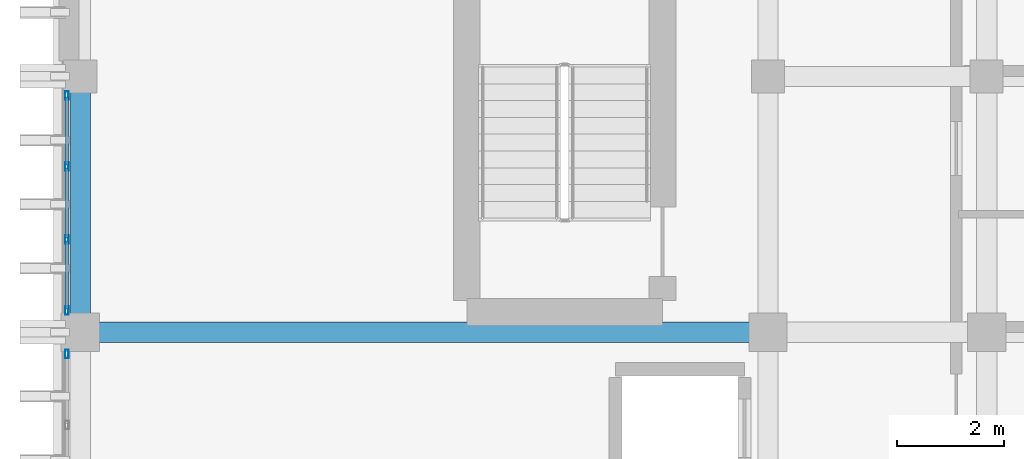
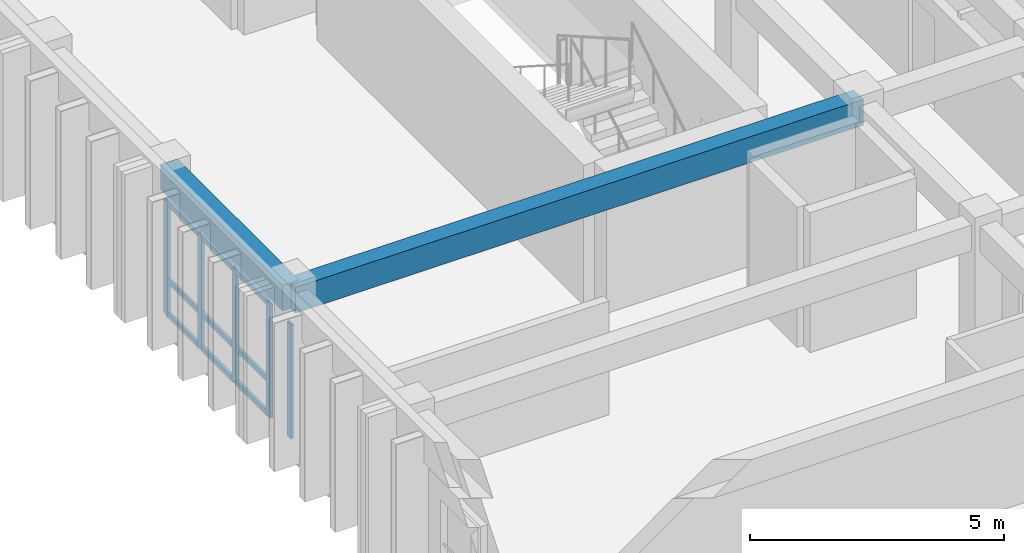
# One storey, part 18 of 59: 14 members, 2 beams, 2 elements without a shape of their own.
"""IFC4 building model written with IfcOpenShell, lengths in metres."""

import ifcopenshell
import ifcopenshell.guid

model = None  # the IFC model being written
_history = None  # IfcOwnerHistory: only IFC2X3 demands one
_inside = {}  # id of a spatial element -> (the spatial element, [elements in it])
_under = {}  # id of a project, library or spatial element -> (it, [spatial elements below it])
_declared = {}  # id of a project -> (the project, [libraries it declares])
_typed = {}  # id of a type object -> (the type object, [elements of that type])
_made_of = {}  # id of a material, layer set ... -> (it, [elements and type objects made of it])


def new_model(schema):
    """Start an empty IFC model of exactly this schema.

    Asked for "IFC4X3", IfcOpenShell would pick the latest addendum, in which some entities
    have other attributes; the version numbers below select the first issue.
    IFC2X3 requires an IfcOwnerHistory on every rooted entity: one is made here for all.
    """
    global model, _history
    if schema == "IFC4X3":
        model = ifcopenshell.file(schema_version=(4, 3, 0, 0))
    else:
        model = ifcopenshell.file(schema=schema)
    _inside.clear()
    _under.clear()
    _declared.clear()
    _typed.clear()
    _made_of.clear()
    _history = None
    if model.schema == "IFC2X3":
        org = make("IfcOrganization", Name="unknown")
        user = make(
            "IfcPersonAndOrganization",
            ThePerson=make("IfcPerson", FamilyName="unknown"),
            TheOrganization=org,
        )
        app = make(
            "IfcApplication",
            ApplicationDeveloper=org,
            Version="unknown",
            ApplicationFullName="unknown",
            ApplicationIdentifier="unknown",
        )
        _history = make(
            "IfcOwnerHistory",
            OwningUser=user,
            OwningApplication=app,
            ChangeAction="ADDED",
            CreationDate=0,
        )
    return model


def make(cls, **values):
    """One entity of the class cls with the attributes given. An attribute that is None is left unset."""
    return model.create_entity(
        cls, **{name: value for name, value in values.items() if value is not None}
    )


def rooted(cls, **values):
    """An entity with a GlobalId (a new one), such as an element, a storey or a relation."""
    return make(cls, GlobalId=ifcopenshell.guid.new(), OwnerHistory=_history, **values)


def si_unit(unit_type, name, prefix=None):
    """IfcSIUnit, for example si_unit("LENGTHUNIT", "METRE", prefix="MILLI")."""
    return make("IfcSIUnit", UnitType=unit_type, Prefix=prefix, Name=name)


def assignment(units):
    """IfcUnitAssignment: the units of a project."""
    return None if units is None else make("IfcUnitAssignment", Units=units)


def point(xyz):
    """IfcCartesianPoint."""
    return None if xyz is None else make("IfcCartesianPoint", Coordinates=xyz)


def direction(xyz):
    """IfcDirection."""
    return None if xyz is None else make("IfcDirection", DirectionRatios=xyz)


def frame(location, z_axis=None, x_axis=None):
    """IfcAxis2Placement3D, a coordinate frame: its origin and axes. An axis left out is left unset."""
    return make(
        "IfcAxis2Placement3D",
        Location=point(location),
        Axis=direction(z_axis),
        RefDirection=direction(x_axis),
    )


def frame_2d(location, x_axis=None):
    """IfcAxis2Placement2D, a coordinate frame in the plane: its origin and x axis."""
    return make(
        "IfcAxis2Placement2D", Location=point(location), RefDirection=direction(x_axis)
    )


def origin():
    """The frame at (0, 0, 0) with its axes left unset."""
    return frame((0.0, 0.0, 0.0))


def origin_2d():
    """The frame at (0, 0) in the plane with its x axis left unset."""
    return frame_2d((0.0, 0.0))


def place(relative_to, where):
    """IfcLocalPlacement: puts the frame where relative to a parent placement (None: the world)."""
    return make(
        "IfcLocalPlacement", PlacementRelTo=relative_to, RelativePlacement=where
    )


def context(
    kind, dimensions, precision=None, world=None, true_north=None, identifier=None
):
    """IfcGeometricRepresentationContext, for example the 3D "Model" context."""
    return make(
        "IfcGeometricRepresentationContext",
        ContextIdentifier=identifier,
        ContextType=kind,
        CoordinateSpaceDimension=dimensions,
        Precision=precision,
        WorldCoordinateSystem=world,
        TrueNorth=true_north,
    )


def subcontext(parent, identifier, kind, view, scale=None):
    """IfcGeometricRepresentationSubContext, for example "Body" below "Model"."""
    return make(
        "IfcGeometricRepresentationSubContext",
        ContextIdentifier=identifier,
        ContextType=kind,
        ParentContext=parent,
        TargetScale=scale,
        TargetView=view,
    )


def project(units=None, contexts=None):
    """IfcProject with its units and contexts."""
    return rooted(
        "IfcProject",
        Name="project",
        RepresentationContexts=contexts,
        UnitsInContext=assignment(units),
    )


def spatial(cls, under=None, at=None, **own):
    """A site, building, storey or space (cls), placed at a placement, below another one or the project."""
    s = rooted(cls, ObjectPlacement=at, **own)
    if under is not None:
        _under.setdefault(under.id(), (under, []))[1].append(s)
    return s


def profile(cls, at=None, kind="AREA", **sizes):
    """A parametric profile (cls). Its sizes go by their IFC names, for example OverallWidth=200.0."""
    return make(cls, ProfileType=kind, Position=at, **sizes)


def rectangle(**sizes):
    """IfcRectangleProfileDef."""
    return profile("IfcRectangleProfileDef", **sizes)


def hollow_rectangle(**sizes):
    """IfcRectangleHollowProfileDef."""
    return profile("IfcRectangleHollowProfileDef", **sizes)


def extrude(swept, where, along, depth):
    """IfcExtrudedAreaSolid: the profile swept, set in the frame where, extruded along a direction by depth."""
    return make(
        "IfcExtrudedAreaSolid",
        SweptArea=swept,
        Position=where,
        ExtrudedDirection=direction(along),
        Depth=depth,
    )


def shape(context_of_items, identifier, shape_type, items):
    """IfcShapeRepresentation: the items that make up one representation, for example the "Body"."""
    return make(
        "IfcShapeRepresentation",
        ContextOfItems=context_of_items,
        RepresentationIdentifier=identifier,
        RepresentationType=shape_type,
        Items=items,
    )


def material(Name=None, Category=None):
    """IfcMaterial."""
    return make("IfcMaterial", Name=Name, Category=Category)


def layer(
    of_material, thickness, ventilated=None, Name=None, Category=None, Priority=None
):
    """IfcMaterialLayer: one layer of a wall or slab, of a material (None: an air gap)."""
    return make(
        "IfcMaterialLayer",
        Material=of_material,
        LayerThickness=thickness,
        IsVentilated=ventilated,
        Name=Name,
        Category=Category,
        Priority=Priority,
    )


def layer_set(layers, Name=None):
    """IfcMaterialLayerSet."""
    return make("IfcMaterialLayerSet", MaterialLayers=layers, LayerSetName=Name)


def material_profile(
    of_material, cross_section, Name=None, Category=None, Priority=None
):
    """IfcMaterialProfile: a cross section and its material."""
    return make(
        "IfcMaterialProfile",
        Name=Name,
        Material=of_material,
        Profile=cross_section,
        Priority=Priority,
        Category=Category,
    )


def profile_set(profiles, Name=None, composite=None):
    """IfcMaterialProfileSet."""
    return make(
        "IfcMaterialProfileSet",
        Name=Name,
        MaterialProfiles=profiles,
        CompositeProfile=composite,
    )


def made_of(thing, what):
    """Note that an element or type object is made of a material, layer set ...; save() writes the relation."""
    if what is not None:
        _made_of.setdefault(what.id(), (what, []))[1].append(thing)
    return thing


def type_object(cls, material=None, **own):
    """A type object (cls), such as IfcWallType, which elements share."""
    return made_of(rooted(cls, **own), material)


def element(
    cls,
    number,
    at=None,
    inside=None,
    cuts=None,
    type_object=None,
    material=None,
    context=None,
    identifier="Body",
    shape_type=None,
    held_by="IfcProductDefinitionShape",
    body=None,
    shapes=None,
    **own,
):
    """One element of the class cls, such as IfcWall. Its Tag is "e" and its number.

    at: its placement. inside: the storey or other place that contains it. cuts: it is an
    opening in that element (IfcRelVoidsElement). A single representation is given by context,
    identifier, shape_type and body (its items); several are given by shapes. held_by: the class
    of the entity that holds the representations. save() writes the other relations.
    """
    e = rooted(cls, Tag="e%d" % number, ObjectPlacement=at, **own)
    if body is not None:
        shapes = [shape(context, identifier, shape_type, body)]
    if shapes is not None:
        e.Representation = make(held_by, Representations=shapes)
    if inside is not None:
        _inside.setdefault(inside.id(), (inside, []))[1].append(e)
    if cuts is not None:
        rooted(
            "IfcRelVoidsElement", RelatingBuildingElement=cuts, RelatedOpeningElement=e
        )
    if type_object is not None:
        _typed.setdefault(type_object.id(), (type_object, []))[1].append(e)
    return made_of(e, material)


def aggregate(whole, parts):
    """IfcRelAggregates: a whole, such as a stair, and the parts it consists of."""
    return rooted("IfcRelAggregates", RelatingObject=whole, RelatedObjects=parts)


def save(model, path):
    """Write the relations noted so far, then the file.

    IfcRelAggregates (storeys below a building ...), IfcRelContainedInSpatialStructure (elements
    in a storey), IfcRelDefinesByType, IfcRelAssociatesMaterial and IfcRelDeclares: one each for
    every whole, place, type object, material and project.
    """
    for whole, parts in _under.values():
        aggregate(whole, parts)
    for where, things in _inside.values():
        rooted(
            "IfcRelContainedInSpatialStructure",
            RelatedElements=things,
            RelatingStructure=where,
        )
    for kind, things in _typed.values():
        rooted("IfcRelDefinesByType", RelatedObjects=things, RelatingType=kind)
    for what, things in _made_of.values():
        rooted("IfcRelAssociatesMaterial", RelatedObjects=things, RelatingMaterial=what)
    for by, libraries in _declared.values():
        rooted("IfcRelDeclares", RelatingContext=by, RelatedDefinitions=libraries)
    model.write(path)


model = new_model("IFC4")

# Units and contexts
model_context = context("Model", 3, precision=1e-05, world=origin(), true_north=direction((0.0, 1.0)))
body_context = subcontext(model_context, "Body", "Model", "MODEL_VIEW")
ifc_project = project(units=[si_unit("LENGTHUNIT", "METRE"), si_unit("AREAUNIT", "SQUARE_METRE"), si_unit("VOLUMEUNIT", "CUBIC_METRE"), si_unit("PLANEANGLEUNIT", "RADIAN"), si_unit("MASSUNIT", "GRAM", prefix="KILO")], contexts=[model_context])

# Site, building, storey
site_placement = place(None, origin())
site = spatial("IfcSite", under=ifc_project, at=site_placement, CompositionType="ELEMENT")
building_placement = place(site_placement, origin())
building = spatial("IfcBuilding", under=site, at=building_placement, Name="Nakhvara Creek Congress Hotel", CompositionType="ELEMENT")
storey_placement = place(building_placement, frame((0.0, 0.0, 31.800048828125)))
storey = spatial("IfcBuildingStorey", under=building, at=storey_placement, Name="L07", CompositionType="ELEMENT", Elevation=31.800048828125)

# Beams
ifc_material_1 = material(Name="Concrete C40/50", Category="concrete")
ifc_material_profile_1 = material_profile(ifc_material_1, rectangle(XDim=0.3798828125, YDim=0.6201171875, at=origin_2d()), Name="RC-BM 380x620", Category="LoadBearing")
ifc_profile_set_1 = profile_set([ifc_material_profile_1], Name="Concrete C40/50")
beam_type = type_object("IfcBeamType", Name="BM-RC-380X620", PredefinedType="BEAM", material=ifc_profile_set_1)
beam_1_placement = place(storey_placement, frame((149.449951171875, 76.800048828125, 3.050048828125), z_axis=(1.0, 0.0, 0.0), x_axis=(0.0, 1.0, 0.0)))
element("IfcBeam", 1, at=beam_1_placement, inside=storey, type_object=beam_type, Name="Beam B10-L07-2326", PredefinedType="BEAM", context=body_context, shape_type="SweptSolid", body=[
    extrude(rectangle(XDim=0.3798828125, YDim=0.6201171875, at=origin_2d()), origin(), (0.0, 0.0, 1.0), 12.900146484375),
])
beam_2_placement = place(storey_placement, frame((149.449951171875, 76.800048828125, 3.050048828125), z_axis=(0.0, 1.0, 0.0), x_axis=(-1.0, 0.0, 0.0)))
element("IfcBeam", 2, at=beam_2_placement, inside=storey, type_object=beam_type, Name="Beam B10-L07-2328", PredefinedType="BEAM", context=body_context, shape_type="SweptSolid", body=[
    extrude(rectangle(XDim=0.3798828125, YDim=0.6201171875, at=origin_2d()), origin(), (0.0, 0.0, 1.0), 4.800048828125),
])

# Curtain wall, member
ifc_material_2 = material(Name="Bronze-anodised aluminium AW-6063-T6 and double-silver low-E glass", Category="aluminium")
ifc_layer = layer(ifc_material_2, 0.199951171875)
ifc_layer_set = layer_set([ifc_layer], Name="Bronze-anodised aluminium AW-6063-T6 and double-silver low-E glass")
curtain_wall_type = type_object("IfcCurtainWallType", Name="CW-HTL-UNIT", PredefinedType="USERDEFINED", material=ifc_layer_set)
curtain_wall_1_placement = place(storey_placement, origin())
curtain_wall_1 = element("IfcCurtainWall", 3, at=curtain_wall_1_placement, inside=storey, type_object=curtain_wall_type, Name="Curtain Wall CW260", ObjectType="UNITISED", PredefinedType="USERDEFINED")
ifc_material_3 = material(Name="Bronze-anodised aluminium AW-6063-T6", Category="aluminium")
ifc_material_profile_2 = material_profile(ifc_material_3, hollow_rectangle(XDim=0.06494140625, YDim=0.159912109375, WallThickness=0.00390625, at=origin_2d()), Name="ALU-MULL 65x160x4", Category="LoadBearing")
ifc_profile_set_2 = profile_set([ifc_material_profile_2], Name="Bronze-anodised aluminium AW-6063-T6")
member_type_1 = type_object("IfcMemberType", Name="CW-MULL-160", PredefinedType="MULLION", material=ifc_profile_set_2)
member_1_placement = place(storey_placement, frame((149.199951171875, 76.392578125, 0.0), z_axis=(0.0, 0.0, 1.0), x_axis=(-1.0, 0.0, 0.0)))
member_1 = element("IfcMember", 4, at=member_1_placement, type_object=member_type_1, Name="CW260 mullion 4", PredefinedType="MULLION", context=body_context, shape_type="SweptSolid", body=[
    extrude(hollow_rectangle(XDim=0.06494140625, YDim=0.159912109375, WallThickness=0.00390625, at=origin_2d()), origin(), (0.0, 0.0, 1.0), 2.73193359375),
])
aggregate(curtain_wall_1, [member_1])

# Curtain wall, members
curtain_wall_2_placement = place(storey_placement, origin())
curtain_wall_2 = element("IfcCurtainWall", 5, at=curtain_wall_2_placement, inside=storey, type_object=curtain_wall_type, Name="Curtain Wall CW262", ObjectType="UNITISED", PredefinedType="USERDEFINED")
member_2_placement = place(storey_placement, frame((149.199951171875, 77.20751953125, 0.0), z_axis=(0.0, 0.0, 1.0), x_axis=(-1.0, 0.0, 0.0)))
member_2 = element("IfcMember", 6, at=member_2_placement, type_object=member_type_1, Name="CW262 mullion 1", PredefinedType="MULLION", context=body_context, shape_type="SweptSolid", body=[
    extrude(hollow_rectangle(XDim=0.06494140625, YDim=0.159912109375, WallThickness=0.00390625, at=origin_2d()), origin(), (0.0, 0.0, 1.0), 2.73193359375),
])
member_3_placement = place(storey_placement, frame((149.199951171875, 78.541748046875, 0.0), z_axis=(0.0, 0.0, 1.0), x_axis=(-1.0, 0.0, 0.0)))
member_3 = element("IfcMember", 7, at=member_3_placement, type_object=member_type_1, Name="CW262 mullion 2", PredefinedType="MULLION", context=body_context, shape_type="SweptSolid", body=[
    extrude(hollow_rectangle(XDim=0.06494140625, YDim=0.159912109375, WallThickness=0.00390625, at=origin_2d()), origin(), (0.0, 0.0, 1.0), 2.73193359375),
])
member_4_placement = place(storey_placement, frame((149.199951171875, 79.908447265625, 0.0), z_axis=(0.0, 0.0, 1.0), x_axis=(-1.0, 0.0, 0.0)))
member_4 = element("IfcMember", 8, at=member_4_placement, type_object=member_type_1, Name="CW262 mullion 3", PredefinedType="MULLION", context=body_context, shape_type="SweptSolid", body=[
    extrude(hollow_rectangle(XDim=0.06494140625, YDim=0.159912109375, WallThickness=0.00390625, at=origin_2d()), origin(), (0.0, 0.0, 1.0), 2.73193359375),
])
member_5_placement = place(storey_placement, frame((149.199951171875, 81.242431640625, 0.0), z_axis=(0.0, 0.0, 1.0), x_axis=(-1.0, 0.0, 0.0)))
member_5 = element("IfcMember", 9, at=member_5_placement, type_object=member_type_1, Name="CW262 mullion 4", PredefinedType="MULLION", context=body_context, shape_type="SweptSolid", body=[
    extrude(hollow_rectangle(XDim=0.06494140625, YDim=0.159912109375, WallThickness=0.00390625, at=origin_2d()), origin(), (0.0, 0.0, 1.0), 2.73193359375),
])
ifc_material_profile_3 = material_profile(ifc_material_3, hollow_rectangle(XDim=0.06494140625, YDim=0.1201171875, WallThickness=0.00390625, at=origin_2d()), Name="ALU-TRAN 65x120x4", Category="LoadBearing")
ifc_profile_set_3 = profile_set([ifc_material_profile_3], Name="Bronze-anodised aluminium AW-6063-T6")
member_type_2 = type_object("IfcMemberType", Name="CW-TRAN-120", PredefinedType="USERDEFINED", material=ifc_profile_set_3)
member_6_placement = place(storey_placement, frame((149.199951171875, 77.239990234375, 0.032470703125), z_axis=(0.0, 1.0, 0.0), x_axis=(-1.0, 0.0, 0.0)))
member_6 = element("IfcMember", 10, at=member_6_placement, type_object=member_type_2, Name="CW262 transom 1.1", ObjectType="TRANSOM", PredefinedType="USERDEFINED", context=body_context, shape_type="SweptSolid", body=[
    extrude(hollow_rectangle(XDim=0.06494140625, YDim=0.1201171875, WallThickness=0.00390625, at=origin_2d()), origin(), (0.0, 0.0, 1.0), 1.269287109375),
])
member_7_placement = place(storey_placement, frame((149.199951171875, 77.239990234375, 0.849853515625), z_axis=(0.0, 1.0, 0.0), x_axis=(-1.0, 0.0, 0.0)))
member_7 = element("IfcMember", 11, at=member_7_placement, type_object=member_type_2, Name="CW262 transom 1.2", ObjectType="TRANSOM", PredefinedType="USERDEFINED", context=body_context, shape_type="SweptSolid", body=[
    extrude(hollow_rectangle(XDim=0.06494140625, YDim=0.1201171875, WallThickness=0.00390625, at=origin_2d()), origin(), (0.0, 0.0, 1.0), 1.269287109375),
])
member_8_placement = place(storey_placement, frame((149.199951171875, 77.239990234375, 2.699462890625), z_axis=(0.0, 1.0, 0.0), x_axis=(-1.0, 0.0, 0.0)))
member_8 = element("IfcMember", 12, at=member_8_placement, type_object=member_type_2, Name="CW262 transom 1.3", ObjectType="TRANSOM", PredefinedType="USERDEFINED", context=body_context, shape_type="SweptSolid", body=[
    extrude(hollow_rectangle(XDim=0.06494140625, YDim=0.1201171875, WallThickness=0.00390625, at=origin_2d()), origin(), (0.0, 0.0, 1.0), 1.269287109375),
])
member_9_placement = place(storey_placement, frame((149.199951171875, 78.57421875, 0.032470703125), z_axis=(0.0, 1.0, 0.0), x_axis=(-1.0, 0.0, 0.0)))
member_9 = element("IfcMember", 13, at=member_9_placement, type_object=member_type_2, Name="CW262 transom 2.1", ObjectType="TRANSOM", PredefinedType="USERDEFINED", context=body_context, shape_type="SweptSolid", body=[
    extrude(hollow_rectangle(XDim=0.06494140625, YDim=0.1201171875, WallThickness=0.00390625, at=origin_2d()), origin(), (0.0, 0.0, 1.0), 1.301513671875),
])
member_10_placement = place(storey_placement, frame((149.199951171875, 78.57421875, 0.849853515625), z_axis=(0.0, 1.0, 0.0), x_axis=(-1.0, 0.0, 0.0)))
member_10 = element("IfcMember", 14, at=member_10_placement, type_object=member_type_2, Name="CW262 transom 2.2", ObjectType="TRANSOM", PredefinedType="USERDEFINED", context=body_context, shape_type="SweptSolid", body=[
    extrude(hollow_rectangle(XDim=0.06494140625, YDim=0.1201171875, WallThickness=0.00390625, at=origin_2d()), origin(), (0.0, 0.0, 1.0), 1.301513671875),
])
member_11_placement = place(storey_placement, frame((149.199951171875, 78.57421875, 2.699462890625), z_axis=(0.0, 1.0, 0.0), x_axis=(-1.0, 0.0, 0.0)))
member_11 = element("IfcMember", 15, at=member_11_placement, type_object=member_type_2, Name="CW262 transom 2.3", ObjectType="TRANSOM", PredefinedType="USERDEFINED", context=body_context, shape_type="SweptSolid", body=[
    extrude(hollow_rectangle(XDim=0.06494140625, YDim=0.1201171875, WallThickness=0.00390625, at=origin_2d()), origin(), (0.0, 0.0, 1.0), 1.301513671875),
])
member_12_placement = place(storey_placement, frame((149.199951171875, 79.94091796875, 0.032470703125), z_axis=(0.0, 1.0, 0.0), x_axis=(-1.0, 0.0, 0.0)))
member_12 = element("IfcMember", 16, at=member_12_placement, type_object=member_type_2, Name="CW262 transom 3.1", ObjectType="TRANSOM", PredefinedType="USERDEFINED", context=body_context, shape_type="SweptSolid", body=[
    extrude(hollow_rectangle(XDim=0.06494140625, YDim=0.1201171875, WallThickness=0.00390625, at=origin_2d()), origin(), (0.0, 0.0, 1.0), 1.26904296875),
])
member_13_placement = place(storey_placement, frame((149.199951171875, 79.94091796875, 0.849853515625), z_axis=(0.0, 1.0, 0.0), x_axis=(-1.0, 0.0, 0.0)))
member_13 = element("IfcMember", 17, at=member_13_placement, type_object=member_type_2, Name="CW262 transom 3.2", ObjectType="TRANSOM", PredefinedType="USERDEFINED", context=body_context, shape_type="SweptSolid", body=[
    extrude(hollow_rectangle(XDim=0.06494140625, YDim=0.1201171875, WallThickness=0.00390625, at=origin_2d()), origin(), (0.0, 0.0, 1.0), 1.26904296875),
])
member_14_placement = place(storey_placement, frame((149.199951171875, 79.94091796875, 2.699462890625), z_axis=(0.0, 1.0, 0.0), x_axis=(-1.0, 0.0, 0.0)))
member_14 = element("IfcMember", 18, at=member_14_placement, type_object=member_type_2, Name="CW262 transom 3.3", ObjectType="TRANSOM", PredefinedType="USERDEFINED", context=body_context, shape_type="SweptSolid", body=[
    extrude(hollow_rectangle(XDim=0.06494140625, YDim=0.1201171875, WallThickness=0.00390625, at=origin_2d()), origin(), (0.0, 0.0, 1.0), 1.26904296875),
])
aggregate(curtain_wall_2, [member_2, member_3, member_4, member_5, member_6, member_7, member_8, member_9, member_10, member_11, member_12, member_13, member_14])

save(model, "model.ifc")
